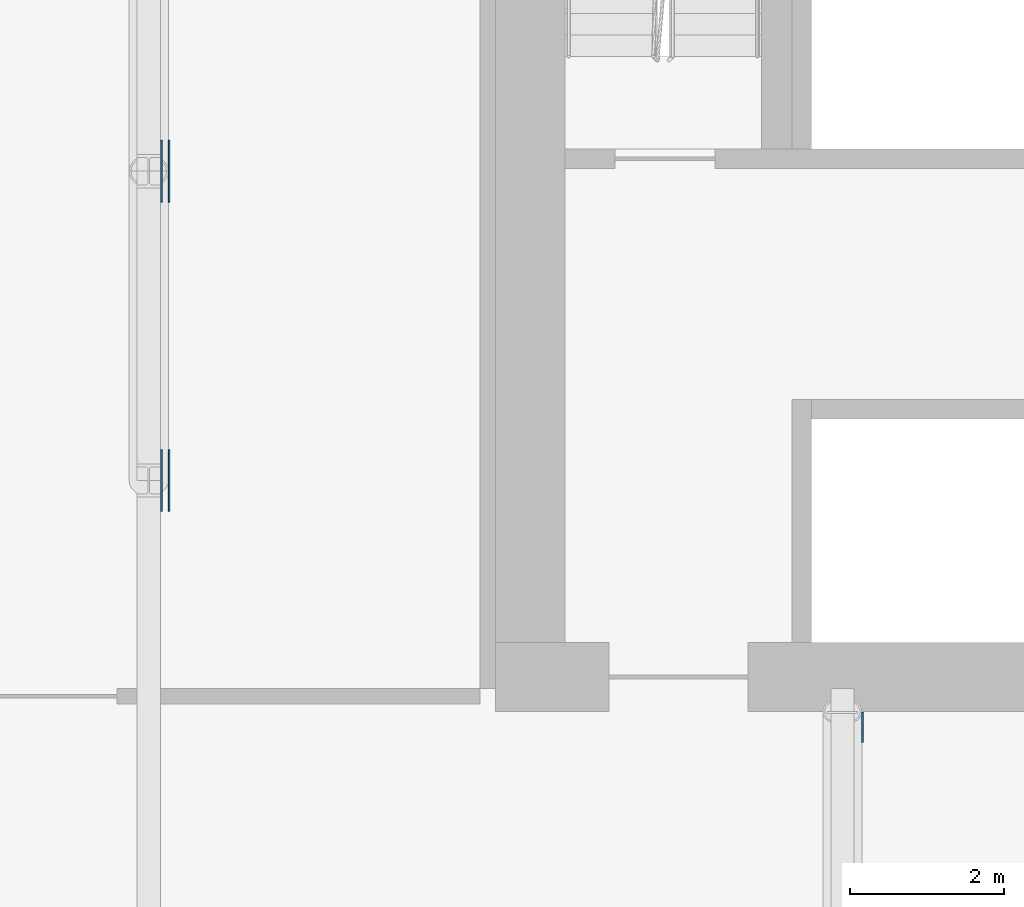
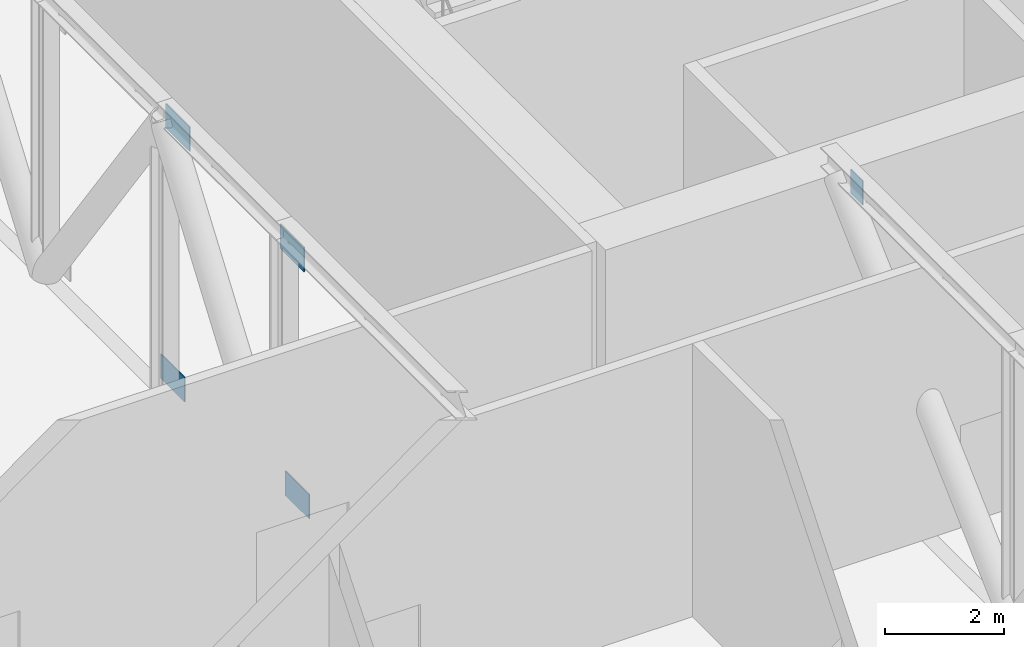
# One storey, part 13 of 26: 5 discrete accessories.
"""IFC4 building model written with IfcOpenShell, lengths in metres."""

import ifcopenshell
import ifcopenshell.guid

model = None  # the IFC model being written
_history = None  # IfcOwnerHistory: only IFC2X3 demands one
_inside = {}  # id of a spatial element -> (the spatial element, [elements in it])
_under = {}  # id of a project, library or spatial element -> (it, [spatial elements below it])
_declared = {}  # id of a project -> (the project, [libraries it declares])
_typed = {}  # id of a type object -> (the type object, [elements of that type])
_made_of = {}  # id of a material, layer set ... -> (it, [elements and type objects made of it])


def new_model(schema):
    """Start an empty IFC model of exactly this schema.

    Asked for "IFC4X3", IfcOpenShell would pick the latest addendum, in which some entities
    have other attributes; the version numbers below select the first issue.
    IFC2X3 requires an IfcOwnerHistory on every rooted entity: one is made here for all.
    """
    global model, _history
    if schema == "IFC4X3":
        model = ifcopenshell.file(schema_version=(4, 3, 0, 0))
    else:
        model = ifcopenshell.file(schema=schema)
    _inside.clear()
    _under.clear()
    _declared.clear()
    _typed.clear()
    _made_of.clear()
    _history = None
    if model.schema == "IFC2X3":
        org = make("IfcOrganization", Name="unknown")
        user = make(
            "IfcPersonAndOrganization",
            ThePerson=make("IfcPerson", FamilyName="unknown"),
            TheOrganization=org,
        )
        app = make(
            "IfcApplication",
            ApplicationDeveloper=org,
            Version="unknown",
            ApplicationFullName="unknown",
            ApplicationIdentifier="unknown",
        )
        _history = make(
            "IfcOwnerHistory",
            OwningUser=user,
            OwningApplication=app,
            ChangeAction="ADDED",
            CreationDate=0,
        )
    return model


def make(cls, **values):
    """One entity of the class cls with the attributes given. An attribute that is None is left unset."""
    return model.create_entity(
        cls, **{name: value for name, value in values.items() if value is not None}
    )


def rooted(cls, **values):
    """An entity with a GlobalId (a new one), such as an element, a storey or a relation."""
    return make(cls, GlobalId=ifcopenshell.guid.new(), OwnerHistory=_history, **values)


def si_unit(unit_type, name, prefix=None):
    """IfcSIUnit, for example si_unit("LENGTHUNIT", "METRE", prefix="MILLI")."""
    return make("IfcSIUnit", UnitType=unit_type, Prefix=prefix, Name=name)


def assignment(units):
    """IfcUnitAssignment: the units of a project."""
    return None if units is None else make("IfcUnitAssignment", Units=units)


def point(xyz):
    """IfcCartesianPoint."""
    return None if xyz is None else make("IfcCartesianPoint", Coordinates=xyz)


def direction(xyz):
    """IfcDirection."""
    return None if xyz is None else make("IfcDirection", DirectionRatios=xyz)


def frame(location, z_axis=None, x_axis=None):
    """IfcAxis2Placement3D, a coordinate frame: its origin and axes. An axis left out is left unset."""
    return make(
        "IfcAxis2Placement3D",
        Location=point(location),
        Axis=direction(z_axis),
        RefDirection=direction(x_axis),
    )


def origin():
    """The frame at (0, 0, 0) with its axes left unset."""
    return frame((0.0, 0.0, 0.0))


def place(relative_to, where):
    """IfcLocalPlacement: puts the frame where relative to a parent placement (None: the world)."""
    return make(
        "IfcLocalPlacement", PlacementRelTo=relative_to, RelativePlacement=where
    )


def context(
    kind, dimensions, precision=None, world=None, true_north=None, identifier=None
):
    """IfcGeometricRepresentationContext, for example the 3D "Model" context."""
    return make(
        "IfcGeometricRepresentationContext",
        ContextIdentifier=identifier,
        ContextType=kind,
        CoordinateSpaceDimension=dimensions,
        Precision=precision,
        WorldCoordinateSystem=world,
        TrueNorth=true_north,
    )


def subcontext(parent, identifier, kind, view, scale=None):
    """IfcGeometricRepresentationSubContext, for example "Body" below "Model"."""
    return make(
        "IfcGeometricRepresentationSubContext",
        ContextIdentifier=identifier,
        ContextType=kind,
        ParentContext=parent,
        TargetScale=scale,
        TargetView=view,
    )


def project(units=None, contexts=None):
    """IfcProject with its units and contexts."""
    return rooted(
        "IfcProject",
        Name="project",
        RepresentationContexts=contexts,
        UnitsInContext=assignment(units),
    )


def spatial(cls, under=None, at=None, **own):
    """A site, building, storey or space (cls), placed at a placement, below another one or the project."""
    s = rooted(cls, ObjectPlacement=at, **own)
    if under is not None:
        _under.setdefault(under.id(), (under, []))[1].append(s)
    return s


def polyline(points):
    """IfcPolyline through the points."""
    return make("IfcPolyline", Points=[point(p) for p in points])


def outline(outer, holes=None, kind="AREA"):
    """IfcArbitraryClosedProfileDef: a profile drawn as a closed curve; with holes, ...WithVoids."""
    if holes is None:
        return make("IfcArbitraryClosedProfileDef", ProfileType=kind, OuterCurve=outer)
    return make(
        "IfcArbitraryProfileDefWithVoids",
        ProfileType=kind,
        OuterCurve=outer,
        InnerCurves=holes,
    )


def extrude(swept, where, along, depth):
    """IfcExtrudedAreaSolid: the profile swept, set in the frame where, extruded along a direction by depth."""
    return make(
        "IfcExtrudedAreaSolid",
        SweptArea=swept,
        Position=where,
        ExtrudedDirection=direction(along),
        Depth=depth,
    )


def shape(context_of_items, identifier, shape_type, items):
    """IfcShapeRepresentation: the items that make up one representation, for example the "Body"."""
    return make(
        "IfcShapeRepresentation",
        ContextOfItems=context_of_items,
        RepresentationIdentifier=identifier,
        RepresentationType=shape_type,
        Items=items,
    )


def material(Name=None, Category=None):
    """IfcMaterial."""
    return make("IfcMaterial", Name=Name, Category=Category)


def layer(
    of_material, thickness, ventilated=None, Name=None, Category=None, Priority=None
):
    """IfcMaterialLayer: one layer of a wall or slab, of a material (None: an air gap)."""
    return make(
        "IfcMaterialLayer",
        Material=of_material,
        LayerThickness=thickness,
        IsVentilated=ventilated,
        Name=Name,
        Category=Category,
        Priority=Priority,
    )


def layer_set(layers, Name=None):
    """IfcMaterialLayerSet."""
    return make("IfcMaterialLayerSet", MaterialLayers=layers, LayerSetName=Name)


def made_of(thing, what):
    """Note that an element or type object is made of a material, layer set ...; save() writes the relation."""
    if what is not None:
        _made_of.setdefault(what.id(), (what, []))[1].append(thing)
    return thing


def type_object(cls, material=None, **own):
    """A type object (cls), such as IfcWallType, which elements share."""
    return made_of(rooted(cls, **own), material)


def element(
    cls,
    number,
    at=None,
    inside=None,
    cuts=None,
    type_object=None,
    material=None,
    context=None,
    identifier="Body",
    shape_type=None,
    held_by="IfcProductDefinitionShape",
    body=None,
    shapes=None,
    **own,
):
    """One element of the class cls, such as IfcWall. Its Tag is "e" and its number.

    at: its placement. inside: the storey or other place that contains it. cuts: it is an
    opening in that element (IfcRelVoidsElement). A single representation is given by context,
    identifier, shape_type and body (its items); several are given by shapes. held_by: the class
    of the entity that holds the representations. save() writes the other relations.
    """
    e = rooted(cls, Tag="e%d" % number, ObjectPlacement=at, **own)
    if body is not None:
        shapes = [shape(context, identifier, shape_type, body)]
    if shapes is not None:
        e.Representation = make(held_by, Representations=shapes)
    if inside is not None:
        _inside.setdefault(inside.id(), (inside, []))[1].append(e)
    if cuts is not None:
        rooted(
            "IfcRelVoidsElement", RelatingBuildingElement=cuts, RelatedOpeningElement=e
        )
    if type_object is not None:
        _typed.setdefault(type_object.id(), (type_object, []))[1].append(e)
    return made_of(e, material)


def aggregate(whole, parts):
    """IfcRelAggregates: a whole, such as a stair, and the parts it consists of."""
    return rooted("IfcRelAggregates", RelatingObject=whole, RelatedObjects=parts)


def save(model, path):
    """Write the relations noted so far, then the file.

    IfcRelAggregates (storeys below a building ...), IfcRelContainedInSpatialStructure (elements
    in a storey), IfcRelDefinesByType, IfcRelAssociatesMaterial and IfcRelDeclares: one each for
    every whole, place, type object, material and project.
    """
    for whole, parts in _under.values():
        aggregate(whole, parts)
    for where, things in _inside.values():
        rooted(
            "IfcRelContainedInSpatialStructure",
            RelatedElements=things,
            RelatingStructure=where,
        )
    for kind, things in _typed.values():
        rooted("IfcRelDefinesByType", RelatedObjects=things, RelatingType=kind)
    for what, things in _made_of.values():
        rooted("IfcRelAssociatesMaterial", RelatedObjects=things, RelatingMaterial=what)
    for by, libraries in _declared.values():
        rooted("IfcRelDeclares", RelatingContext=by, RelatedDefinitions=libraries)
    model.write(path)


model = new_model("IFC4")

# Units and contexts
model_context = context("Model", 3, precision=1e-05, world=origin(), true_north=direction((0.0, 1.0)))
body_context = subcontext(model_context, "Body", "Model", "MODEL_VIEW")
ifc_project = project(units=[si_unit("LENGTHUNIT", "METRE"), si_unit("AREAUNIT", "SQUARE_METRE"), si_unit("VOLUMEUNIT", "CUBIC_METRE"), si_unit("PLANEANGLEUNIT", "RADIAN"), si_unit("MASSUNIT", "GRAM", prefix="KILO")], contexts=[model_context])

# Site, building, storey
site_placement = place(None, origin())
site = spatial("IfcSite", under=ifc_project, at=site_placement, CompositionType="ELEMENT")
building_placement = place(site_placement, origin())
building = spatial("IfcBuilding", under=site, at=building_placement, Name="Kajstack Hotel Tower", CompositionType="ELEMENT")
storey_placement = place(building_placement, frame((0.0, 0.0, 47.0)))
storey = spatial("IfcBuildingStorey", under=building, at=storey_placement, Name="L07", CompositionType="ELEMENT", Elevation=47.0)

# Discrete accessories
ifc_material = material(Name="Steel S355J2", Category="steel")
ifc_layer = layer(ifc_material, 0.02001953125)
ifc_layer_set = layer_set([ifc_layer], Name="GUSSET PLATE")
discrete_accessory_type = type_object("IfcDiscreteAccessoryType", Name="GUSSET PLATE", PredefinedType="BRACKET", material=ifc_layer_set)
for number, where, z_axis, x_axis, name in (
    (1, (9.25390625, 4.5, 0.0), (1.0, 0.0, 0.0), (0.0, 1.0, 0.0), "Gusset plate L07-095"),
    (2, (9.153564453125, 4.5, 5.10009765625), (1.0, 0.0, 0.0), (0.0, 1.0, 0.0), "Gusset plate L07-096"),
    (3, (9.153564453125, 8.512451171875, 0.0), (1.0, 0.0, 0.0), (0.0, 1.0, 0.0), "Gusset plate L07-097"),
    (4, (9.25390625, 8.512451171875, 5.10009765625), (1.0, 0.0, 0.0), (0.0, 1.0, 0.0), "Gusset plate L07-098"),
):
    element("IfcDiscreteAccessory", number, at=place(storey_placement, frame(where, z_axis=z_axis, x_axis=x_axis)), inside=storey, type_object=discrete_accessory_type, Name=name, PredefinedType="BRACKET", context=body_context, shape_type="SweptSolid", body=[
        extrude(outline(polyline([(-0.39990234375, 0.0), (0.39990234375, 0.0), (0.39990234375, 0.5), (-0.39990234375, 0.5), (-0.39990234375, 0.0)])), origin(), (0.0, 0.0, 1.0), 0.02001953125),
    ])
discrete_accessory_placement = place(storey_placement, frame((18.25390625, 1.5, 5.10009765625), z_axis=(1.0, 0.0, 0.0), x_axis=(0.0, 1.0, 0.0)))
element("IfcDiscreteAccessory", 5, at=discrete_accessory_placement, inside=storey, type_object=discrete_accessory_type, Name="Gusset plate L07-115", PredefinedType="BRACKET", context=body_context, shape_type="SweptSolid", body=[
    extrude(outline(polyline([(-0.39990234375, 0.0), (-0.0048828125, 0.0), (-0.0048828125, 0.5), (-0.39990234375, 0.5), (-0.39990234375, 0.0)])), origin(), (0.0, 0.0, 1.0), 0.02001953125),
])

save(model, "model.ifc")
